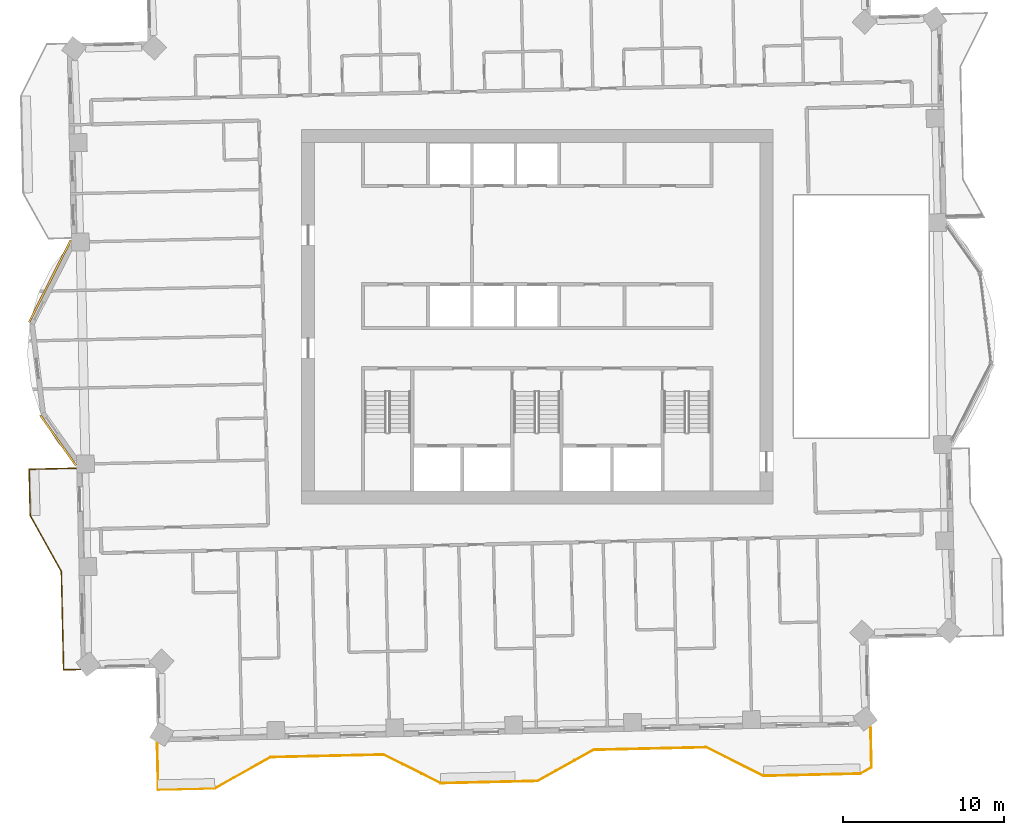
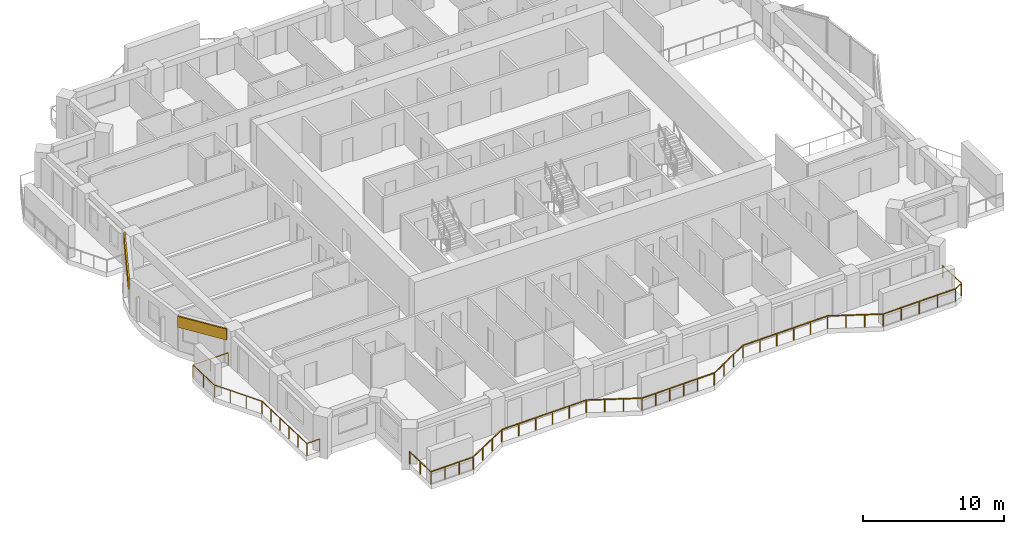
# One storey, part 14 of 17: 2 coverings, 2 railings.
"""IFC4 building model written with IfcOpenShell, lengths in metres."""

from ifc_helpers import new_model, si_unit, direction, frame, frame_2d, origin, origin_2d, place, context, subcontext, project, spatial, rectangle, extrude, material, layer, layer_set, type_object, element, save


model = new_model("IFC4")

# Units and contexts
model_context = context("Model", 3, precision=1e-05, world=origin(), true_north=direction((0.0, 1.0)))
body_context = subcontext(model_context, "Body", "Model", "MODEL_VIEW")
ifc_project = project(units=[si_unit("LENGTHUNIT", "METRE"), si_unit("AREAUNIT", "SQUARE_METRE"), si_unit("VOLUMEUNIT", "CUBIC_METRE"), si_unit("PLANEANGLEUNIT", "RADIAN"), si_unit("MASSUNIT", "GRAM", prefix="KILO")], contexts=[model_context])

# Site, building, storey
site_placement = place(None, origin())
site = spatial("IfcSite", under=ifc_project, at=site_placement, CompositionType="ELEMENT")
building_placement = place(site_placement, origin())
building = spatial("IfcBuilding", under=site, at=building_placement, Name="Mangrove Gate Tower", CompositionType="ELEMENT")
storey_placement = place(building_placement, frame((0.0, 0.0, 238.300048828125)))
storey = spatial("IfcBuildingStorey", under=building, at=storey_placement, Name="L60", CompositionType="ELEMENT", Elevation=238.300048828125)

# Railings
ifc_material_1 = material(Name="Stainless steel grade 316 with laminated glass infill", Category="steel")
railing_type = type_object("IfcRailingType", Name="Balcony guard 1100", PredefinedType="GUARDRAIL", material=ifc_material_1)
railing_1_placement = place(storey_placement, frame((-28.574951171875, -9.388916015625, 0.0)))
element("IfcRailing", 1, at=railing_1_placement, inside=storey, type_object=railing_type, Name="GUARD L60 W2", PredefinedType="GUARDRAIL", context=body_context, shape_type="SweptSolid", body=[
    extrude(rectangle(XDim=0.048095703125, YDim=0.048095703125, at=origin_2d()), frame((0.0, 0.0, 1.076171875), z_axis=(-0.999741662318, -0.022729026048, 0.0), x_axis=(0.022729026048, -0.999741662318, 0.0)), (0.0, 0.0, 1.0), 2.910888671875),
    extrude(rectangle(XDim=0.048095703125, YDim=0.048095703125, at=origin_2d()), frame((-2.91015625, -0.066162109375, 1.076171875), z_axis=(0.023014629611, -0.999735128333, 0.0), x_axis=(0.999735128333, 0.023014629611, 0.0)), (0.0, 0.0, 1.0), 2.874755859375),
    extrude(rectangle(XDim=0.048095703125, YDim=0.048095703125, at=origin_2d()), frame((-2.843994140625, -2.940185546875, 1.076171875), z_axis=(0.487286324359, -0.873242256246, 0.0), x_axis=(0.873242256246, 0.487286324359, 0.0)), (0.0, 0.0, 1.0), 3.95849609375),
    extrude(rectangle(XDim=0.048095703125, YDim=0.048095703125, at=origin_2d()), frame((-0.9150390625, -6.39697265625, 1.076171875), z_axis=(0.02261050187, -0.999744349924, 0.0), x_axis=(0.999744349924, 0.02261050187, 0.0)), (0.0, 0.0, 1.0), 6.1005859375),
    extrude(rectangle(XDim=0.048095703125, YDim=0.048095703125, at=origin_2d()), frame((-0.777099609375, -12.49609375, 1.076171875), z_axis=(0.999745389313, 0.022564497502, 0.0), x_axis=(-0.022564497502, 0.999745389313, 0.0)), (0.0, 0.0, 1.0), 1.060302734375),
    extrude(rectangle(XDim=0.0419921875, YDim=0.0419921875, at=origin_2d()), origin(), (0.0, 0.0, 1.0), 1.052001953125),
    extrude(rectangle(XDim=0.0419921875, YDim=0.0419921875, at=origin_2d()), frame((-1.455078125, -0.033203125, 0.0)), (0.0, 0.0, 1.0), 1.052001953125),
    extrude(rectangle(XDim=0.0419921875, YDim=0.0419921875, at=origin_2d()), frame((-2.91015625, -0.066162109375, 0.0)), (0.0, 0.0, 1.0), 1.052001953125),
    extrude(rectangle(XDim=0.0419921875, YDim=0.0419921875, at=origin_2d()), frame((-2.876953125, -1.503173828125, 0.0)), (0.0, 0.0, 1.0), 1.052001953125),
    extrude(rectangle(XDim=0.0419921875, YDim=0.0419921875, at=origin_2d()), frame((-2.843994140625, -2.940185546875, 0.0)), (0.0, 0.0, 1.0), 1.052001953125),
    extrude(rectangle(XDim=0.0419921875, YDim=0.0419921875, at=origin_2d()), frame((-2.200927734375, -4.092529296875, 0.0)), (0.0, 0.0, 1.0), 1.052001953125),
    extrude(rectangle(XDim=0.0419921875, YDim=0.0419921875, at=origin_2d()), frame((-1.55810546875, -5.24462890625, 0.0)), (0.0, 0.0, 1.0), 1.052001953125),
    extrude(rectangle(XDim=0.0419921875, YDim=0.0419921875, at=origin_2d()), frame((-0.9150390625, -6.39697265625, 0.0)), (0.0, 0.0, 1.0), 1.052001953125),
    extrude(rectangle(XDim=0.0419921875, YDim=0.0419921875, at=origin_2d()), frame((-0.887451171875, -7.61669921875, 0.0)), (0.0, 0.0, 1.0), 1.052001953125),
    extrude(rectangle(XDim=0.0419921875, YDim=0.0419921875, at=origin_2d()), frame((-0.85986328125, -8.836669921875, 0.0)), (0.0, 0.0, 1.0), 1.052001953125),
    extrude(rectangle(XDim=0.0419921875, YDim=0.0419921875, at=origin_2d()), frame((-0.832275390625, -10.056396484375, 0.0)), (0.0, 0.0, 1.0), 1.052001953125),
    extrude(rectangle(XDim=0.0419921875, YDim=0.0419921875, at=origin_2d()), frame((-0.8046875, -11.2763671875, 0.0)), (0.0, 0.0, 1.0), 1.052001953125),
    extrude(rectangle(XDim=0.0419921875, YDim=0.0419921875, at=origin_2d()), frame((-0.777099609375, -12.49609375, 0.0)), (0.0, 0.0, 1.0), 1.052001953125),
    extrude(rectangle(XDim=0.0419921875, YDim=0.0419921875, at=origin_2d()), frame((0.282958984375, -12.47216796875, 0.0)), (0.0, 0.0, 1.0), 1.052001953125),
])
railing_2_placement = place(storey_placement, frame((-23.548095703125, -26.39404296875, 0.0)))
element("IfcRailing", 2, at=railing_2_placement, inside=storey, type_object=railing_type, Name="GUARD L60 S1", PredefinedType="GUARDRAIL", context=body_context, shape_type="SweptSolid", body=[
    extrude(rectangle(XDim=0.048095703125, YDim=0.048095703125, at=origin_2d()), frame((0.0, 0.0, 1.076171875), z_axis=(0.02273093202, -0.999741618984, 0.0), x_axis=(0.999741618984, 0.02273093202, 0.0)), (0.0, 0.0, 1.0), 2.91064453125),
    extrude(rectangle(XDim=0.048095703125, YDim=0.048095703125, at=origin_2d()), frame((0.066162109375, -2.909912109375, 1.076171875), z_axis=(0.999740394655, 0.022784716271, 0.0), x_axis=(-0.022784716271, 0.999740394655, 0.0)), (0.0, 0.0, 1.0), 3.50390625),
    extrude(rectangle(XDim=0.048095703125, YDim=0.048095703125, at=origin_2d()), frame((3.569091796875, -2.830078125, 1.076171875), z_axis=(0.873230657876, 0.487307108654, 0.0), x_axis=(-0.487307108654, 0.873230657876, 0.0)), (0.0, 0.0, 1.0), 3.958984375),
    extrude(rectangle(XDim=0.048095703125, YDim=0.048095703125, at=origin_2d()), frame((7.026123046875, -0.90087890625, 1.076171875), z_axis=(0.999742195543, 0.022705559911, 0.0), x_axis=(-0.022705559911, 0.999742195543, 0.0)), (0.0, 0.0, 1.0), 6.999755859375),
    extrude(rectangle(XDim=0.048095703125, YDim=0.048095703125, at=origin_2d()), frame((14.024169921875, -0.741943359375, 1.076171875), z_axis=(0.894476522376, -0.447114919141, 0.0), x_axis=(0.447114919141, 0.894476522376, 0.0)), (0.0, 0.0, 1.0), 3.958740234375),
    extrude(rectangle(XDim=0.048095703125, YDim=0.048095703125, at=origin_2d()), frame((17.565185546875, -2.511962890625, 1.076171875), z_axis=(0.999744377441, 0.022609285172, 0.0), x_axis=(-0.022609285172, 0.999744377441, 0.0)), (0.0, 0.0, 1.0), 4.60009765625),
    extrude(rectangle(XDim=0.048095703125, YDim=0.048095703125, at=origin_2d()), frame((22.1640625, -2.407958984375, 1.076171875), z_axis=(0.999739219063, 0.022836240226, 0.0), x_axis=(-0.022836240226, 0.999739219063, 0.0)), (0.0, 0.0, 1.0), 1.400390625),
    extrude(rectangle(XDim=0.048095703125, YDim=0.048095703125, at=origin_2d()), frame((23.564208984375, -2.3759765625, 1.076171875), z_axis=(0.873242256246, 0.487286324359, 0.0), x_axis=(-0.487286324359, 0.873242256246, 0.0)), (0.0, 0.0, 1.0), 3.95849609375),
    extrude(rectangle(XDim=0.048095703125, YDim=0.048095703125, at=origin_2d()), frame((27.02099609375, -0.447021484375, 1.076171875), z_axis=(0.999745352708, 0.022566119286, 0.0), x_axis=(-0.022566119286, 0.999745352708, 0.0)), (0.0, 0.0, 1.0), 6.999755859375),
    extrude(rectangle(XDim=0.048095703125, YDim=0.048095703125, at=origin_2d()), frame((34.01904296875, -0.2890625, 1.076171875), z_axis=(0.894501186021, -0.447065574839, 0.0), x_axis=(0.447065574839, 0.894501186021, 0.0)), (0.0, 0.0, 1.0), 3.958740234375),
    extrude(rectangle(XDim=0.048095703125, YDim=0.048095703125, at=origin_2d()), frame((37.56005859375, -2.058837890625, 1.076171875), z_axis=(0.999743094499, 0.022665943652, 0.0), x_axis=(-0.022665943652, 0.999743094499, 0.0)), (0.0, 0.0, 1.0), 5.99951171875),
    extrude(rectangle(XDim=0.048095703125, YDim=0.048095703125, at=origin_2d()), frame((43.55810546875, -1.9228515625, 1.076171875), z_axis=(0.873491668571, 0.486839095531, 0.0), x_axis=(-0.486839095531, 0.873491668571, 0.0)), (0.0, 0.0, 1.0), 0.796875),
    extrude(rectangle(XDim=0.048095703125, YDim=0.048095703125, at=origin_2d()), frame((44.254150390625, -1.534912109375, 1.076171875), z_axis=(-0.022889624202, 0.999737998229, 0.0), x_axis=(-0.999737998229, -0.022889624202, 0.0)), (0.0, 0.0, 1.0), 2.53857421875),
    extrude(rectangle(XDim=0.0419921875, YDim=0.0419921875, at=origin_2d()), origin(), (0.0, 0.0, 1.0), 1.052001953125),
    extrude(rectangle(XDim=0.0419921875, YDim=0.0419921875, at=origin_2d()), frame((0.033203125, -1.455078125, 0.0)), (0.0, 0.0, 1.0), 1.052001953125),
    extrude(rectangle(XDim=0.0419921875, YDim=0.0419921875, at=origin_2d()), frame((0.066162109375, -2.909912109375, 0.0)), (0.0, 0.0, 1.0), 1.052001953125),
    extrude(rectangle(XDim=0.0419921875, YDim=0.0419921875, at=origin_2d()), frame((1.23388671875, -2.88330078125, 0.0)), (0.0, 0.0, 1.0), 1.052001953125),
    extrude(rectangle(XDim=0.0419921875, YDim=0.0419921875, at=origin_2d()), frame((2.4013671875, -2.856689453125, 0.0)), (0.0, 0.0, 1.0), 1.052001953125),
    extrude(rectangle(XDim=0.0419921875, YDim=0.0419921875, at=origin_2d()), frame((3.569091796875, -2.830078125, 0.0)), (0.0, 0.0, 1.0), 1.052001953125),
    extrude(rectangle(XDim=0.0419921875, YDim=0.0419921875, at=origin_2d()), frame((4.721435546875, -2.18701171875, 0.0)), (0.0, 0.0, 1.0), 1.052001953125),
    extrude(rectangle(XDim=0.0419921875, YDim=0.0419921875, at=origin_2d()), frame((5.873779296875, -1.5439453125, 0.0)), (0.0, 0.0, 1.0), 1.052001953125),
    extrude(rectangle(XDim=0.0419921875, YDim=0.0419921875, at=origin_2d()), frame((7.026123046875, -0.90087890625, 0.0)), (0.0, 0.0, 1.0), 1.052001953125),
    extrude(rectangle(XDim=0.0419921875, YDim=0.0419921875, at=origin_2d()), frame((8.42578125, -0.869140625, 0.0)), (0.0, 0.0, 1.0), 1.052001953125),
    extrude(rectangle(XDim=0.0419921875, YDim=0.0419921875, at=origin_2d()), frame((9.825439453125, -0.83740234375, 0.0)), (0.0, 0.0, 1.0), 1.052001953125),
    extrude(rectangle(XDim=0.0419921875, YDim=0.0419921875, at=origin_2d()), frame((11.224853515625, -0.805419921875, 0.0)), (0.0, 0.0, 1.0), 1.052001953125),
    extrude(rectangle(XDim=0.0419921875, YDim=0.0419921875, at=origin_2d()), frame((12.62451171875, -0.773681640625, 0.0)), (0.0, 0.0, 1.0), 1.052001953125),
    extrude(rectangle(XDim=0.0419921875, YDim=0.0419921875, at=origin_2d()), frame((14.024169921875, -0.741943359375, 0.0)), (0.0, 0.0, 1.0), 1.052001953125),
    extrude(rectangle(XDim=0.0419921875, YDim=0.0419921875, at=origin_2d()), frame((15.20458984375, -1.33203125, 0.0)), (0.0, 0.0, 1.0), 1.052001953125),
    extrude(rectangle(XDim=0.0419921875, YDim=0.0419921875, at=origin_2d()), frame((16.384765625, -1.921875, 0.0)), (0.0, 0.0, 1.0), 1.052001953125),
    extrude(rectangle(XDim=0.0419921875, YDim=0.0419921875, at=origin_2d()), frame((17.565185546875, -2.511962890625, 0.0)), (0.0, 0.0, 1.0), 1.052001953125),
    extrude(rectangle(XDim=0.0419921875, YDim=0.0419921875, at=origin_2d()), frame((18.71484375, -2.48583984375, 0.0)), (0.0, 0.0, 1.0), 1.052001953125),
    extrude(rectangle(XDim=0.0419921875, YDim=0.0419921875, at=origin_2d()), frame((19.86474609375, -2.4599609375, 0.0)), (0.0, 0.0, 1.0), 1.052001953125),
    extrude(rectangle(XDim=0.0419921875, YDim=0.0419921875, at=origin_2d()), frame((21.014404296875, -2.43408203125, 0.0)), (0.0, 0.0, 1.0), 1.052001953125),
    extrude(rectangle(XDim=0.0419921875, YDim=0.0419921875, at=origin_2d()), frame((22.1640625, -2.407958984375, 0.0)), (0.0, 0.0, 1.0), 1.052001953125),
    extrude(rectangle(XDim=0.0419921875, YDim=0.0419921875, at=origin_2d()), frame((23.564208984375, -2.3759765625, 0.0)), (0.0, 0.0, 1.0), 1.052001953125),
    extrude(rectangle(XDim=0.0419921875, YDim=0.0419921875, at=origin_2d()), frame((24.716552734375, -1.73291015625, 0.0)), (0.0, 0.0, 1.0), 1.052001953125),
    extrude(rectangle(XDim=0.0419921875, YDim=0.0419921875, at=origin_2d()), frame((25.86865234375, -1.090087890625, 0.0)), (0.0, 0.0, 1.0), 1.052001953125),
    extrude(rectangle(XDim=0.0419921875, YDim=0.0419921875, at=origin_2d()), frame((27.02099609375, -0.447021484375, 0.0)), (0.0, 0.0, 1.0), 1.052001953125),
    extrude(rectangle(XDim=0.0419921875, YDim=0.0419921875, at=origin_2d()), frame((28.420654296875, -0.41552734375, 0.0)), (0.0, 0.0, 1.0), 1.052001953125),
    extrude(rectangle(XDim=0.0419921875, YDim=0.0419921875, at=origin_2d()), frame((29.8203125, -0.3837890625, 0.0)), (0.0, 0.0, 1.0), 1.052001953125),
    extrude(rectangle(XDim=0.0419921875, YDim=0.0419921875, at=origin_2d()), frame((31.2197265625, -0.352294921875, 0.0)), (0.0, 0.0, 1.0), 1.052001953125),
    extrude(rectangle(XDim=0.0419921875, YDim=0.0419921875, at=origin_2d()), frame((32.619384765625, -0.320556640625, 0.0)), (0.0, 0.0, 1.0), 1.052001953125),
    extrude(rectangle(XDim=0.0419921875, YDim=0.0419921875, at=origin_2d()), frame((34.01904296875, -0.2890625, 0.0)), (0.0, 0.0, 1.0), 1.052001953125),
    extrude(rectangle(XDim=0.0419921875, YDim=0.0419921875, at=origin_2d()), frame((35.199462890625, -0.87890625, 0.0)), (0.0, 0.0, 1.0), 1.052001953125),
    extrude(rectangle(XDim=0.0419921875, YDim=0.0419921875, at=origin_2d()), frame((36.379638671875, -1.468994140625, 0.0)), (0.0, 0.0, 1.0), 1.052001953125),
    extrude(rectangle(XDim=0.0419921875, YDim=0.0419921875, at=origin_2d()), frame((37.56005859375, -2.058837890625, 0.0)), (0.0, 0.0, 1.0), 1.052001953125),
    extrude(rectangle(XDim=0.0419921875, YDim=0.0419921875, at=origin_2d()), frame((39.0595703125, -2.02490234375, 0.0)), (0.0, 0.0, 1.0), 1.052001953125),
    extrude(rectangle(XDim=0.0419921875, YDim=0.0419921875, at=origin_2d()), frame((40.55908203125, -1.99072265625, 0.0)), (0.0, 0.0, 1.0), 1.052001953125),
    extrude(rectangle(XDim=0.0419921875, YDim=0.0419921875, at=origin_2d()), frame((42.05859375, -1.956787109375, 0.0)), (0.0, 0.0, 1.0), 1.052001953125),
    extrude(rectangle(XDim=0.0419921875, YDim=0.0419921875, at=origin_2d()), frame((43.55810546875, -1.9228515625, 0.0)), (0.0, 0.0, 1.0), 1.052001953125),
    extrude(rectangle(XDim=0.0419921875, YDim=0.0419921875, at=origin_2d()), frame((44.254150390625, -1.534912109375, 0.0)), (0.0, 0.0, 1.0), 1.052001953125),
    extrude(rectangle(XDim=0.0419921875, YDim=0.0419921875, at=origin_2d()), frame((44.22509765625, -0.26611328125, 0.0)), (0.0, 0.0, 1.0), 1.052001953125),
    extrude(rectangle(XDim=0.0419921875, YDim=0.0419921875, at=origin_2d()), frame((44.196044921875, 1.0029296875, 0.0)), (0.0, 0.0, 1.0), 1.052001953125),
])

# Coverings
ifc_material_2 = material(Name="Limestone", Category="masonry")
ifc_layer_1 = layer(ifc_material_2, 0.0400390625, Name="Limestone cladding")
ifc_material_3 = material(Name="Stainless steel anchors and cavity", Category="steel")
ifc_layer_2 = layer(ifc_material_3, 0.080078125, Name="Fixing cavity")
ifc_layer_set = layer_set([ifc_layer_1, ifc_layer_2], Name="Joint fascia cladding 120")
covering_type = type_object("IfcCoveringType", Name="Joint fascia cladding 120", PredefinedType="CLADDING", material=ifc_layer_set)
covering_1_placement = place(storey_placement, frame((-28.906005859375, 4.732177734375, 2.099853515625), z_axis=(0.0, 0.0, 1.0), x_axis=(-0.452597611153, -0.891714866074, 0.0)))
element("IfcCovering", 3, at=covering_1_placement, inside=storey, type_object=covering_type, Name="STONE FASCIA L60 W9.L1", PredefinedType="CLADDING", context=body_context, shape_type="SweptSolid", body=[
    extrude(rectangle(XDim=5.704833984375, YDim=0.1201171875, at=frame_2d((2.8525390625, 0.0))), origin(), (0.0, 0.0, 1.0), 0.9501953125),
])
covering_2_placement = place(storey_placement, frame((-30.791015625, -6.10302734375, 2.099853515625), z_axis=(0.0, 0.0, 1.0), x_axis=(0.578168098379, -0.815917673553, 0.0)))
element("IfcCovering", 4, at=covering_2_placement, inside=storey, type_object=covering_type, Name="STONE FASCIA L60 W9.L2", PredefinedType="CLADDING", context=body_context, shape_type="SweptSolid", body=[
    extrude(rectangle(XDim=3.819091796875, YDim=0.1201171875, at=frame_2d((1.90966796875, 0.0))), origin(), (0.0, 0.0, 1.0), 0.9501953125),
])

save(model, "model.ifc")
